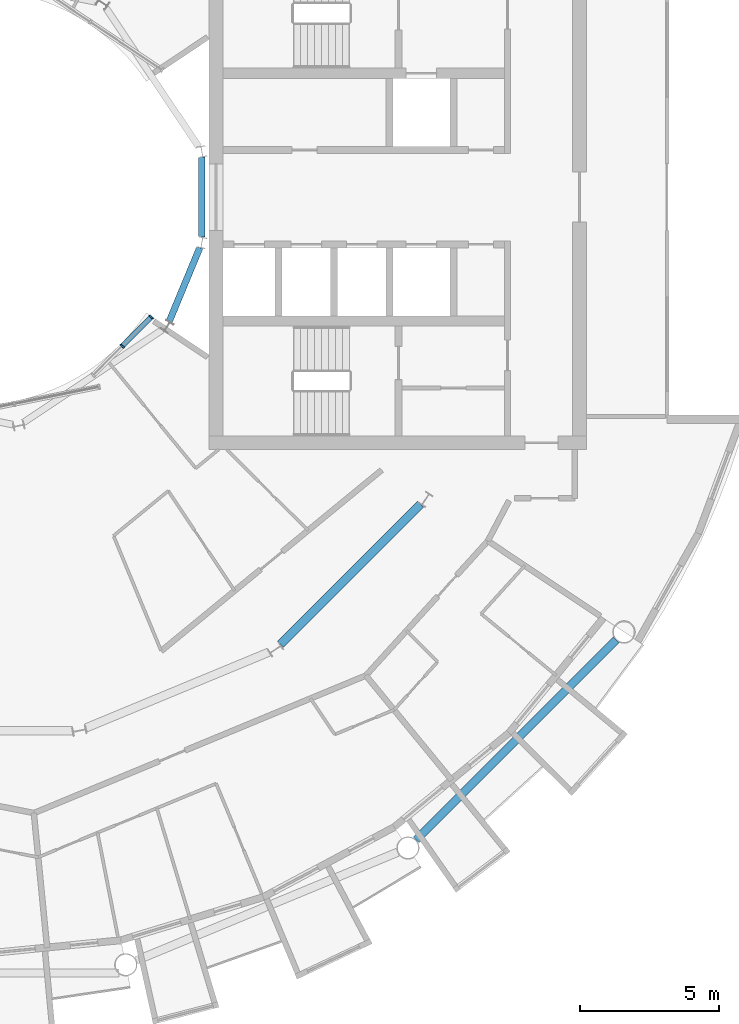
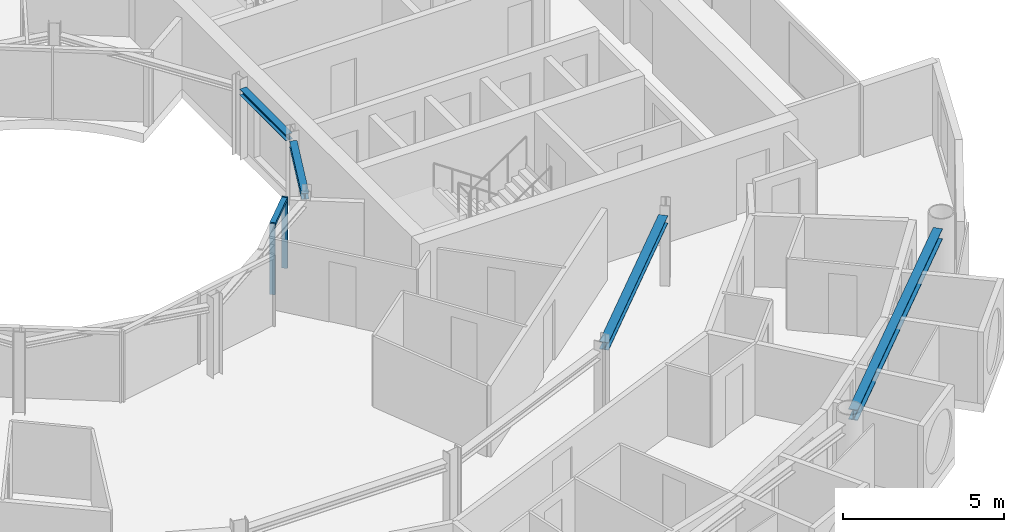
# One storey, part 7 of 27: 4 beams, 3 members, 1 element without a shape of its own.
"""IFC4 building model written with IfcOpenShell, lengths in metres."""

from ifc_helpers import new_model, si_unit, direction, frame, origin, origin_2d, place, context, subcontext, project, spatial, rectangle, i_section, extrude, material, layer, layer_set, material_profile, profile_set, type_object, element, aggregate, save


model = new_model("IFC4")

# Units and contexts
model_context = context("Model", 3, precision=1e-05, world=origin(), true_north=direction((0.0, 1.0)))
body_context = subcontext(model_context, "Body", "Model", "MODEL_VIEW")
ifc_project = project(units=[si_unit("LENGTHUNIT", "METRE"), si_unit("AREAUNIT", "SQUARE_METRE"), si_unit("VOLUMEUNIT", "CUBIC_METRE"), si_unit("PLANEANGLEUNIT", "RADIAN"), si_unit("MASSUNIT", "GRAM", prefix="KILO")], contexts=[model_context])

# Site, building, storey
site_placement = place(None, origin())
site = spatial("IfcSite", under=ifc_project, at=site_placement, CompositionType="ELEMENT")
building_placement = place(site_placement, origin())
building = spatial("IfcBuilding", under=site, at=building_placement, Name="Maasbend Ring Residences", CompositionType="ELEMENT")
storey_placement = place(building_placement, frame((0.0, 0.0, 145.199951171875)))
storey = spatial("IfcBuildingStorey", under=building, at=storey_placement, Name="L41", CompositionType="ELEMENT", Elevation=145.199951171875)

# Curtain wall, members
ifc_material_1 = material(Name="Aluminium and clear glass", Category="aluminium")
ifc_layer = layer(ifc_material_1, 0.179931640625)
ifc_layer_set = layer_set([ifc_layer], Name="CW-W")
curtain_wall_type = type_object("IfcCurtainWallType", Name="CW-W", PredefinedType="NOTDEFINED", material=ifc_layer_set)
curtain_wall_placement = place(storey_placement, origin())
curtain_wall = element("IfcCurtainWall", 1, at=curtain_wall_placement, inside=storey, type_object=curtain_wall_type, Name="Well curtain wall S3", PredefinedType="NOTDEFINED")
ifc_material_2 = material(Name="Aluminium 6063-T6", Category="aluminium")
ifc_material_profile_1 = material_profile(ifc_material_2, rectangle(XDim=0.179931640625, YDim=0.06005859375, at=origin_2d()), Name="AL 180x60")
ifc_profile_set_1 = profile_set([ifc_material_profile_1], Name="Aluminium 6063-T6")
member_type_1 = type_object("IfcMemberType", Name="CWM-W", PredefinedType="MULLION", material=ifc_profile_set_1)
member_1_placement = place(storey_placement, frame((5.366943359375, -5.366943359375, 0.0), z_axis=(0.0, 0.0, 1.0), x_axis=(-0.707106781187, 0.707106781187, 0.0)))
member_1 = element("IfcMember", 2, at=member_1_placement, type_object=member_type_1, Name="Mullion well face", PredefinedType="MULLION", context=body_context, shape_type="SweptSolid", body=[
    extrude(rectangle(XDim=0.179931640625, YDim=0.06005859375, at=origin_2d()), origin(), (0.0, 0.0, 1.0), 2.699951171875),
])
member_2_placement = place(storey_placement, frame((6.413330078125, -4.320556640625, 0.0), z_axis=(0.0, 0.0, 1.0), x_axis=(-0.707106781187, 0.707106781187, 0.0)))
member_2 = element("IfcMember", 3, at=member_2_placement, type_object=member_type_1, Name="Mullion well face", PredefinedType="MULLION", context=body_context, shape_type="SweptSolid", body=[
    extrude(rectangle(XDim=0.179931640625, YDim=0.06005859375, at=origin_2d()), origin(), (0.0, 0.0, 1.0), 2.699951171875),
])
ifc_material_3 = material(Name="Aluminium 6063-T6", Category="aluminium")
ifc_material_profile_2 = material_profile(ifc_material_3, rectangle(XDim=0.179931640625, YDim=0.1201171875, at=origin_2d()), Name="AL 180x120")
ifc_profile_set_2 = profile_set([ifc_material_profile_2], Name="Aluminium 6063-T6")
member_type_2 = type_object("IfcMemberType", Name="CWT-W", PredefinedType="USERDEFINED", material=ifc_profile_set_2)
member_3_placement = place(storey_placement, frame((5.38818359375, -5.345703125, 2.64013671875), z_axis=(0.707106781187, 0.707106781187, 0.0), x_axis=(-0.707106781187, 0.707106781187, 0.0)))
member_3 = element("IfcMember", 4, at=member_3_placement, type_object=member_type_2, Name="Transom well face", ObjectType="TRANSOM", PredefinedType="USERDEFINED", context=body_context, shape_type="SweptSolid", body=[
    extrude(rectangle(XDim=0.179931640625, YDim=0.1201171875, at=origin_2d()), origin(), (0.0, 0.0, 1.0), 1.419677734375),
])
aggregate(curtain_wall, [member_1, member_2, member_3])

# Beams
ifc_material_4 = material(Name="Steel S355J2", Category="steel")
ifc_material_profile_3 = material_profile(ifc_material_4, i_section(OverallWidth=0.300048828125, OverallDepth=0.2900390625, WebThickness=0.008544921875, FlangeThickness=0.013916015625, FilletRadius=0.027099609375, at=origin_2d()), Name="HEA 300")
ifc_profile_set_3 = profile_set([ifc_material_profile_3], Name="Steel S355J2")
beam_type_1 = type_object("IfcBeamType", Name="Corridor ring beam HEA 300", PredefinedType="BEAM", material=ifc_profile_set_3)
beam_1_placement = place(storey_placement, frame((11.0693359375, -16.11669921875, 2.554931640625), z_axis=(0.707106781187, 0.707106781187, 0.0), x_axis=(-0.707106781187, 0.707106781187, 0.0)))
element("IfcBeam", 5, at=beam_1_placement, inside=storey, type_object=beam_type_1, Name="Corridor ring beam", PredefinedType="BEAM", context=body_context, shape_type="SweptSolid", body=[
    extrude(i_section(OverallWidth=0.300048828125, OverallDepth=0.2900390625, WebThickness=0.008544921875, FlangeThickness=0.013916015625, FilletRadius=0.027099609375, at=origin_2d()), origin(), (0.0, 0.0, 1.0), 7.137939453125),
])
ifc_material_5 = material(Name="Steel S355J2", Category="steel")
ifc_material_profile_4 = material_profile(ifc_material_5, i_section(OverallWidth=0.300048828125, OverallDepth=0.39990234375, WebThickness=0.013427734375, FlangeThickness=0.02392578125, FilletRadius=0.027099609375, at=origin_2d()), Name="HEB 400")
ifc_profile_set_4 = profile_set([ifc_material_profile_4], Name="Steel S355J2")
beam_type_2 = type_object("IfcBeamType", Name="Spandrel ring beam HEB 400", PredefinedType="SPANDREL", material=ifc_profile_set_4)
beam_2_placement = place(storey_placement, frame((15.95458984375, -23.159912109375, 2.5), z_axis=(0.707106781187, 0.707106781187, 0.0), x_axis=(-0.707106781187, 0.707106781187, 0.0)))
element("IfcBeam", 6, at=beam_2_placement, inside=storey, type_object=beam_type_2, Name="Spandrel ring beam", PredefinedType="SPANDREL", context=body_context, shape_type="SweptSolid", body=[
    extrude(i_section(OverallWidth=0.300048828125, OverallDepth=0.39990234375, WebThickness=0.013427734375, FlangeThickness=0.02392578125, FilletRadius=0.027099609375, at=origin_2d()), origin(), (0.0, 0.0, 1.0), 10.18994140625),
])
ifc_material_6 = material(Name="Steel S355J2", Category="steel")
ifc_material_profile_5 = material_profile(ifc_material_6, i_section(OverallWidth=0.239990234375, OverallDepth=0.22998046875, WebThickness=0.007568359375, FlangeThickness=0.011962890625, FilletRadius=0.02099609375, at=origin_2d()), Name="HEA 240")
ifc_profile_set_5 = profile_set([ifc_material_profile_5], Name="Steel S355J2")
beam_type_3 = type_object("IfcBeamType", Name="Well edge beam HEA 240", PredefinedType="BEAM", material=ifc_profile_set_5)
for number, where, z_axis, x_axis, name in (
    (7, (7.060302734375, -4.483154296875, 2.5849609375), (0.382748596828, 0.923852537814, 0.0), (-0.923852537814, 0.382748596828, 0.0), "Well edge beam"),
    (8, (8.238525390625, -1.43994140625, 2.5849609375), (0.0, 1.0, 0.0), (-1.0, 0.0, 0.0), "Well edge beam"),
):
    element("IfcBeam", number, at=place(storey_placement, frame(where, z_axis=z_axis, x_axis=x_axis)), inside=storey, type_object=beam_type_3, Name=name, PredefinedType="BEAM", context=body_context, shape_type="SweptSolid", body=[
        extrude(i_section(OverallWidth=0.239990234375, OverallDepth=0.22998046875, WebThickness=0.007568359375, FlangeThickness=0.011962890625, FilletRadius=0.02099609375, at=origin_2d()), origin(), (0.0, 0.0, 1.0), 2.8798828125),
    ])

save(model, "model.ifc")
